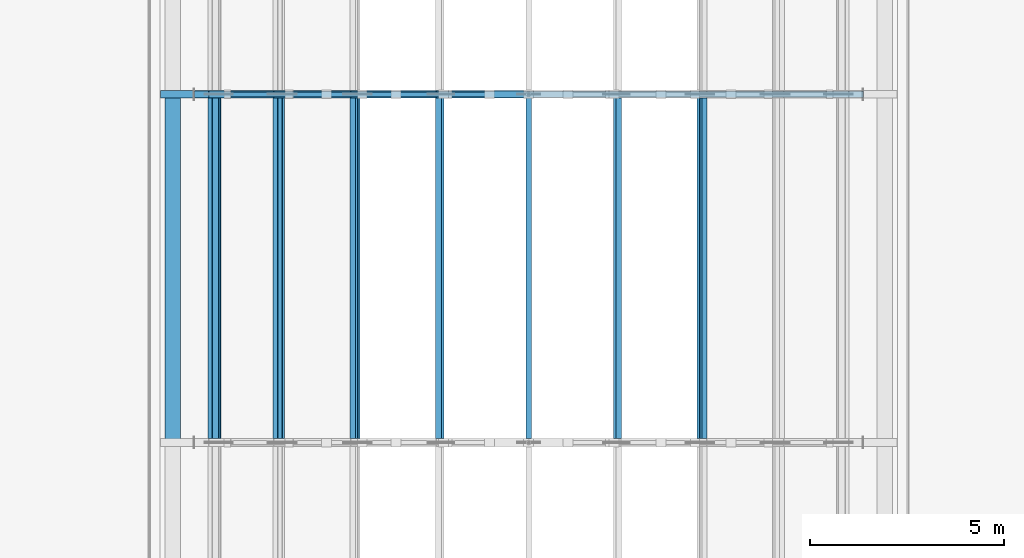
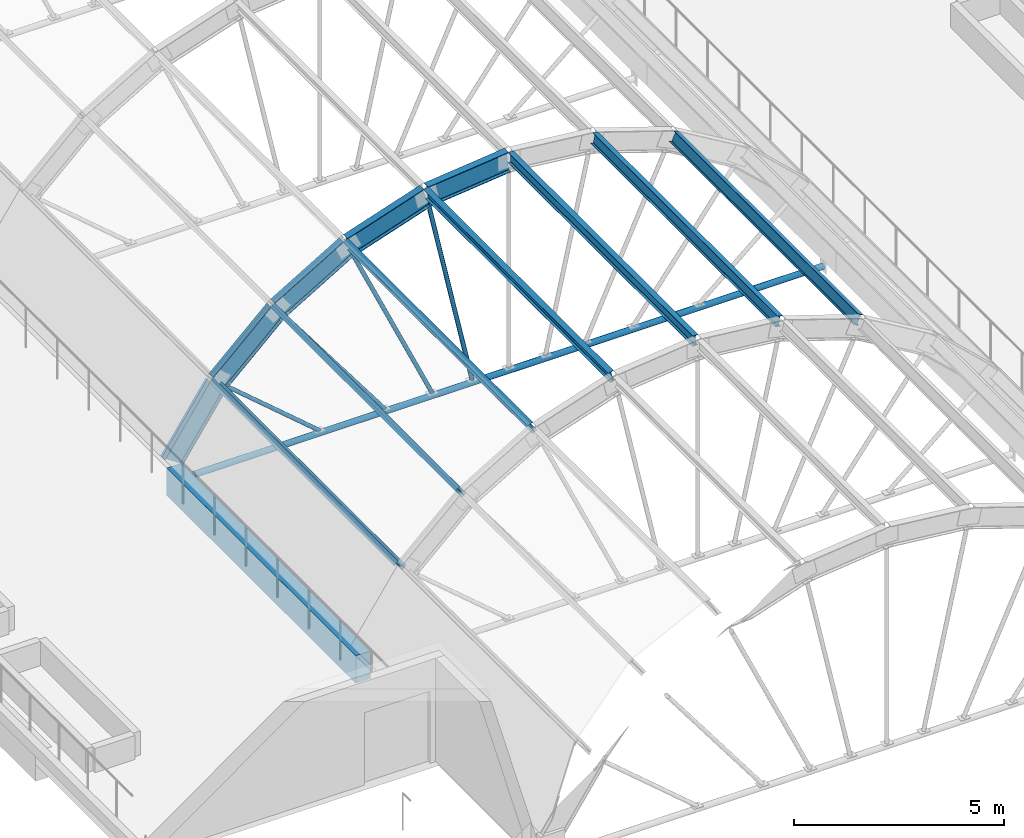
# One storey, part 13 of 79: 12 members, 6 beams.
"""IFC4 building model written with IfcOpenShell, lengths in metres."""

import ifcopenshell
import ifcopenshell.guid

model = None  # the IFC model being written
_history = None  # IfcOwnerHistory: only IFC2X3 demands one
_inside = {}  # id of a spatial element -> (the spatial element, [elements in it])
_under = {}  # id of a project, library or spatial element -> (it, [spatial elements below it])
_declared = {}  # id of a project -> (the project, [libraries it declares])
_typed = {}  # id of a type object -> (the type object, [elements of that type])
_made_of = {}  # id of a material, layer set ... -> (it, [elements and type objects made of it])


def new_model(schema):
    """Start an empty IFC model of exactly this schema.

    Asked for "IFC4X3", IfcOpenShell would pick the latest addendum, in which some entities
    have other attributes; the version numbers below select the first issue.
    IFC2X3 requires an IfcOwnerHistory on every rooted entity: one is made here for all.
    """
    global model, _history
    if schema == "IFC4X3":
        model = ifcopenshell.file(schema_version=(4, 3, 0, 0))
    else:
        model = ifcopenshell.file(schema=schema)
    _inside.clear()
    _under.clear()
    _declared.clear()
    _typed.clear()
    _made_of.clear()
    _history = None
    if model.schema == "IFC2X3":
        org = make("IfcOrganization", Name="unknown")
        user = make(
            "IfcPersonAndOrganization",
            ThePerson=make("IfcPerson", FamilyName="unknown"),
            TheOrganization=org,
        )
        app = make(
            "IfcApplication",
            ApplicationDeveloper=org,
            Version="unknown",
            ApplicationFullName="unknown",
            ApplicationIdentifier="unknown",
        )
        _history = make(
            "IfcOwnerHistory",
            OwningUser=user,
            OwningApplication=app,
            ChangeAction="ADDED",
            CreationDate=0,
        )
    return model


def make(cls, **values):
    """One entity of the class cls with the attributes given. An attribute that is None is left unset."""
    return model.create_entity(
        cls, **{name: value for name, value in values.items() if value is not None}
    )


def rooted(cls, **values):
    """An entity with a GlobalId (a new one), such as an element, a storey or a relation."""
    return make(cls, GlobalId=ifcopenshell.guid.new(), OwnerHistory=_history, **values)


def si_unit(unit_type, name, prefix=None):
    """IfcSIUnit, for example si_unit("LENGTHUNIT", "METRE", prefix="MILLI")."""
    return make("IfcSIUnit", UnitType=unit_type, Prefix=prefix, Name=name)


def assignment(units):
    """IfcUnitAssignment: the units of a project."""
    return None if units is None else make("IfcUnitAssignment", Units=units)


def point(xyz):
    """IfcCartesianPoint."""
    return None if xyz is None else make("IfcCartesianPoint", Coordinates=xyz)


def direction(xyz):
    """IfcDirection."""
    return None if xyz is None else make("IfcDirection", DirectionRatios=xyz)


def frame(location, z_axis=None, x_axis=None):
    """IfcAxis2Placement3D, a coordinate frame: its origin and axes. An axis left out is left unset."""
    return make(
        "IfcAxis2Placement3D",
        Location=point(location),
        Axis=direction(z_axis),
        RefDirection=direction(x_axis),
    )


def frame_2d(location, x_axis=None):
    """IfcAxis2Placement2D, a coordinate frame in the plane: its origin and x axis."""
    return make(
        "IfcAxis2Placement2D", Location=point(location), RefDirection=direction(x_axis)
    )


def origin():
    """The frame at (0, 0, 0) with its axes left unset."""
    return frame((0.0, 0.0, 0.0))


def origin_2d():
    """The frame at (0, 0) in the plane with its x axis left unset."""
    return frame_2d((0.0, 0.0))


def place(relative_to, where):
    """IfcLocalPlacement: puts the frame where relative to a parent placement (None: the world)."""
    return make(
        "IfcLocalPlacement", PlacementRelTo=relative_to, RelativePlacement=where
    )


def context(
    kind, dimensions, precision=None, world=None, true_north=None, identifier=None
):
    """IfcGeometricRepresentationContext, for example the 3D "Model" context."""
    return make(
        "IfcGeometricRepresentationContext",
        ContextIdentifier=identifier,
        ContextType=kind,
        CoordinateSpaceDimension=dimensions,
        Precision=precision,
        WorldCoordinateSystem=world,
        TrueNorth=true_north,
    )


def subcontext(parent, identifier, kind, view, scale=None):
    """IfcGeometricRepresentationSubContext, for example "Body" below "Model"."""
    return make(
        "IfcGeometricRepresentationSubContext",
        ContextIdentifier=identifier,
        ContextType=kind,
        ParentContext=parent,
        TargetScale=scale,
        TargetView=view,
    )


def project(units=None, contexts=None):
    """IfcProject with its units and contexts."""
    return rooted(
        "IfcProject",
        Name="project",
        RepresentationContexts=contexts,
        UnitsInContext=assignment(units),
    )


def spatial(cls, under=None, at=None, **own):
    """A site, building, storey or space (cls), placed at a placement, below another one or the project."""
    s = rooted(cls, ObjectPlacement=at, **own)
    if under is not None:
        _under.setdefault(under.id(), (under, []))[1].append(s)
    return s


def profile(cls, at=None, kind="AREA", **sizes):
    """A parametric profile (cls). Its sizes go by their IFC names, for example OverallWidth=200.0."""
    return make(cls, ProfileType=kind, Position=at, **sizes)


def rectangle(**sizes):
    """IfcRectangleProfileDef."""
    return profile("IfcRectangleProfileDef", **sizes)


def hollow_circle(**sizes):
    """IfcCircleHollowProfileDef."""
    return profile("IfcCircleHollowProfileDef", **sizes)


def i_section(**sizes):
    """IfcIShapeProfileDef."""
    return profile("IfcIShapeProfileDef", **sizes)


def extrude(swept, where, along, depth):
    """IfcExtrudedAreaSolid: the profile swept, set in the frame where, extruded along a direction by depth."""
    return make(
        "IfcExtrudedAreaSolid",
        SweptArea=swept,
        Position=where,
        ExtrudedDirection=direction(along),
        Depth=depth,
    )


def shape(context_of_items, identifier, shape_type, items):
    """IfcShapeRepresentation: the items that make up one representation, for example the "Body"."""
    return make(
        "IfcShapeRepresentation",
        ContextOfItems=context_of_items,
        RepresentationIdentifier=identifier,
        RepresentationType=shape_type,
        Items=items,
    )


def material(Name=None, Category=None):
    """IfcMaterial."""
    return make("IfcMaterial", Name=Name, Category=Category)


def material_profile(
    of_material, cross_section, Name=None, Category=None, Priority=None
):
    """IfcMaterialProfile: a cross section and its material."""
    return make(
        "IfcMaterialProfile",
        Name=Name,
        Material=of_material,
        Profile=cross_section,
        Priority=Priority,
        Category=Category,
    )


def profile_set(profiles, Name=None, composite=None):
    """IfcMaterialProfileSet."""
    return make(
        "IfcMaterialProfileSet",
        Name=Name,
        MaterialProfiles=profiles,
        CompositeProfile=composite,
    )


def made_of(thing, what):
    """Note that an element or type object is made of a material, layer set ...; save() writes the relation."""
    if what is not None:
        _made_of.setdefault(what.id(), (what, []))[1].append(thing)
    return thing


def type_object(cls, material=None, **own):
    """A type object (cls), such as IfcWallType, which elements share."""
    return made_of(rooted(cls, **own), material)


def element(
    cls,
    number,
    at=None,
    inside=None,
    cuts=None,
    type_object=None,
    material=None,
    context=None,
    identifier="Body",
    shape_type=None,
    held_by="IfcProductDefinitionShape",
    body=None,
    shapes=None,
    **own,
):
    """One element of the class cls, such as IfcWall. Its Tag is "e" and its number.

    at: its placement. inside: the storey or other place that contains it. cuts: it is an
    opening in that element (IfcRelVoidsElement). A single representation is given by context,
    identifier, shape_type and body (its items); several are given by shapes. held_by: the class
    of the entity that holds the representations. save() writes the other relations.
    """
    e = rooted(cls, Tag="e%d" % number, ObjectPlacement=at, **own)
    if body is not None:
        shapes = [shape(context, identifier, shape_type, body)]
    if shapes is not None:
        e.Representation = make(held_by, Representations=shapes)
    if inside is not None:
        _inside.setdefault(inside.id(), (inside, []))[1].append(e)
    if cuts is not None:
        rooted(
            "IfcRelVoidsElement", RelatingBuildingElement=cuts, RelatedOpeningElement=e
        )
    if type_object is not None:
        _typed.setdefault(type_object.id(), (type_object, []))[1].append(e)
    return made_of(e, material)


def aggregate(whole, parts):
    """IfcRelAggregates: a whole, such as a stair, and the parts it consists of."""
    return rooted("IfcRelAggregates", RelatingObject=whole, RelatedObjects=parts)


def save(model, path):
    """Write the relations noted so far, then the file.

    IfcRelAggregates (storeys below a building ...), IfcRelContainedInSpatialStructure (elements
    in a storey), IfcRelDefinesByType, IfcRelAssociatesMaterial and IfcRelDeclares: one each for
    every whole, place, type object, material and project.
    """
    for whole, parts in _under.values():
        aggregate(whole, parts)
    for where, things in _inside.values():
        rooted(
            "IfcRelContainedInSpatialStructure",
            RelatedElements=things,
            RelatingStructure=where,
        )
    for kind, things in _typed.values():
        rooted("IfcRelDefinesByType", RelatedObjects=things, RelatingType=kind)
    for what, things in _made_of.values():
        rooted("IfcRelAssociatesMaterial", RelatedObjects=things, RelatingMaterial=what)
    for by, libraries in _declared.values():
        rooted("IfcRelDeclares", RelatingContext=by, RelatedDefinitions=libraries)
    model.write(path)


model = new_model("IFC4")

# Units and contexts
model_context = context("Model", 3, precision=1e-05, world=origin(), true_north=direction((0.0, 1.0)))
body_context = subcontext(model_context, "Body", "Model", "MODEL_VIEW")
ifc_project = project(units=[si_unit("LENGTHUNIT", "METRE"), si_unit("AREAUNIT", "SQUARE_METRE"), si_unit("VOLUMEUNIT", "CUBIC_METRE"), si_unit("PLANEANGLEUNIT", "RADIAN"), si_unit("MASSUNIT", "GRAM", prefix="KILO")], contexts=[model_context])

# Site, building, storey
site_placement = place(None, origin())
site = spatial("IfcSite", under=ifc_project, at=site_placement, CompositionType="ELEMENT")
building_placement = place(site_placement, origin())
building = spatial("IfcBuilding", under=site, at=building_placement, Name="Guidao Yard Department Store", CompositionType="ELEMENT")
storey_placement = place(building_placement, frame((0.0, 0.0, 15.0)))
storey = spatial("IfcBuildingStorey", under=building, at=storey_placement, Name="L03", CompositionType="ELEMENT", Elevation=15.0)

# Members
ifc_material_1 = material(Name="Steel Q355B", Category="steel")
ifc_material_profile_1 = material_profile(ifc_material_1, hollow_circle(Radius=0.056884765625, WallThickness=0.006103515625, at=origin_2d()), Name="CHS 114x6")
ifc_profile_set_1 = profile_set([ifc_material_profile_1], Name="Steel Q355B")
member_type_1 = type_object("IfcMemberType", Name="CHS 114x6", PredefinedType="BRACE", material=ifc_profile_set_1)
member_1_placement = place(storey_placement, frame((84.77490234375, 63.0, -0.360107421875), z_axis=(-0.760338516722, 0.0, 0.649527012516), x_axis=(0.0, -1.0, 0.0)))
element("IfcMember", 1, at=member_1_placement, inside=storey, type_object=member_type_1, Name="Roof web strut C03-01", PredefinedType="BRACE", context=body_context, shape_type="SweptSolid", body=[
    extrude(hollow_circle(Radius=0.056884765625, WallThickness=0.006103515625, at=origin_2d()), origin(), (0.0, 0.0, 1.0), 3.357666015625),
])
member_2_placement = place(storey_placement, frame((86.575927734375, 63.0, -0.360107421875), z_axis=(-0.600934318152, 0.0, 0.799298408147), x_axis=(0.0, -1.0, 0.0)))
element("IfcMember", 2, at=member_2_placement, inside=storey, type_object=member_type_1, Name="Roof web strut C03-02", PredefinedType="BRACE", context=body_context, shape_type="SweptSolid", body=[
    extrude(hollow_circle(Radius=0.056884765625, WallThickness=0.006103515625, at=origin_2d()), origin(), (0.0, 0.0, 1.0), 4.596923828125),
])
member_3_placement = place(storey_placement, frame((87.890869140625, 63.0, -0.360107421875), z_axis=(-0.415142377249, 0.0, 0.909756454559), x_axis=(0.0, -1.0, 0.0)))
element("IfcMember", 3, at=member_3_placement, inside=storey, type_object=member_type_1, Name="Roof web strut C03-03", PredefinedType="BRACE", context=body_context, shape_type="SweptSolid", body=[
    extrude(hollow_circle(Radius=0.056884765625, WallThickness=0.006103515625, at=origin_2d()), origin(), (0.0, 0.0, 1.0), 5.271728515625),
])
member_4_placement = place(storey_placement, frame((88.98876953125, 63.0, -0.360107421875), z_axis=(-0.211899287995, 0.0, 0.977291508071), x_axis=(0.0, -1.0, 0.0)))
element("IfcMember", 4, at=member_4_placement, inside=storey, type_object=member_type_1, Name="Roof web strut C03-04", PredefinedType="BRACE", context=body_context, shape_type="SweptSolid", body=[
    extrude(hollow_circle(Radius=0.056884765625, WallThickness=0.006103515625, at=origin_2d()), origin(), (0.0, 0.0, 1.0), 5.619140625),
])
ifc_material_2 = material(Name="Steel Q355B", Category="steel")
ifc_material_profile_2 = material_profile(ifc_material_2, hollow_circle(Radius=0.083984375, WallThickness=0.008056640625, at=origin_2d()), Name="CHS 168x8")
ifc_profile_set_2 = profile_set([ifc_material_profile_2], Name="Steel Q355B")
member_type_2 = type_object("IfcMemberType", Name="CHS 168x8", PredefinedType="BRACE", material=ifc_profile_set_2)
member_5_placement = place(storey_placement, frame((81.35009765625, 63.0, -0.449951171875), z_axis=(1.0, 0.0, 0.0), x_axis=(0.0, 1.0, 0.0)))
element("IfcMember", 5, at=member_5_placement, inside=storey, type_object=member_type_2, Name="Roof tie rod C03", PredefinedType="BRACE", context=body_context, shape_type="SweptSolid", body=[
    extrude(hollow_circle(Radius=0.083984375, WallThickness=0.008056640625, at=origin_2d()), origin(), (0.0, 0.0, 1.0), 17.2998046875),
])
ifc_material_3 = material(Name="Steel Q355B", Category="steel")
ifc_material_profile_3 = material_profile(ifc_material_3, i_section(OverallWidth=0.14990234375, OverallDepth=0.300048828125, WebThickness=0.006591796875, FlangeThickness=0.009033203125, FilletRadius=0.012939453125, at=origin_2d()), Name="HN 300x150x6.5x9")
ifc_profile_set_3 = profile_set([ifc_material_profile_3], Name="Steel Q355B")
member_type_3 = type_object("IfcMemberType", Name="HN 300x150x6.5x9", PredefinedType="PURLIN", material=ifc_profile_set_3)
for number, where, z_axis, x_axis, name in (
    (6, (81.88330078125, 54.10009765625, 2.110107421875), (0.0, 1.0, 0.0), (-0.649536869322, 0.0, -0.760330096334), "Roof purlin C02-01"),
    (7, (83.5458984375, 54.10009765625, 3.670166015625), (0.0, 1.0, 0.0), (-0.79928350319, 0.0, -0.600954142617), "Roof purlin C02-02"),
    (8, (85.517578125, 54.10009765625, 4.841064453125), (0.0, 1.0, 0.0), (-0.909750741633, 0.0, -0.415154896513), "Roof purlin C02-03"),
    (9, (87.703857421875, 54.10009765625, 5.56640625), (0.0, 1.0, 0.0), (-0.977291953985, 0.0, -0.211897231402), "Roof purlin C02-04"),
    (10, (90.0, 54.10009765625, 5.812255859375), (0.0, 1.0, 0.0), (-1.0, 0.0, 0.0), "Roof purlin C02-05"),
    (11, (92.296142578125, 54.10009765625, 5.56640625), (0.0, 1.0, 0.0), (-0.977291953985, 0.0, 0.211897231402), "Roof purlin C02-06"),
    (12, (94.482421875, 54.10009765625, 4.841064453125), (0.0, 1.0, 0.0), (-0.909750741633, 0.0, 0.415154896513), "Roof purlin C02-07"),
):
    element("IfcMember", number, at=place(storey_placement, frame(where, z_axis=z_axis, x_axis=x_axis)), inside=storey, type_object=member_type_3, Name=name, PredefinedType="PURLIN", context=body_context, shape_type="SweptSolid", body=[
        extrude(i_section(OverallWidth=0.14990234375, OverallDepth=0.300048828125, WebThickness=0.006591796875, FlangeThickness=0.009033203125, FilletRadius=0.012939453125, at=origin_2d()), origin(), (0.0, 0.0, 1.0), 8.7998046875),
    ])

# Beams
ifc_material_4 = material(Name="Steel Q355B", Category="steel")
ifc_material_profile_4 = material_profile(ifc_material_4, i_section(OverallWidth=0.199951171875, OverallDepth=0.60009765625, WebThickness=0.010986328125, FlangeThickness=0.01708984375, FilletRadius=0.012939453125, at=origin_2d()), Name="HN 600x200x11x17")
ifc_profile_set_4 = profile_set([ifc_material_profile_4], Name="Steel Q355B")
beam_type_1 = type_object("IfcBeamType", Name="HN 600x200x11x17", PredefinedType="BEAM", material=ifc_profile_set_4)
beam_1_placement = place(storey_placement, frame((80.73681640625, 63.0, 0.168701171875), z_axis=(0.561973245007, 0.0, 0.827155409761), x_axis=(0.0, 1.0, 0.0)))
element("IfcBeam", 13, at=beam_1_placement, inside=storey, type_object=beam_type_1, Name="Roof rib C03-01", PredefinedType="BEAM", context=body_context, shape_type="SweptSolid", body=[
    extrude(i_section(OverallWidth=0.199951171875, OverallDepth=0.60009765625, WebThickness=0.010986328125, FlangeThickness=0.01708984375, FilletRadius=0.012939453125, at=origin_2d()), origin(), (0.0, 0.0, 1.0), 2.201171875),
])
beam_2_placement = place(storey_placement, frame((82.016845703125, 63.0, 2.03955078125), z_axis=(0.729181254966, 0.0, 0.684320610099), x_axis=(0.0, 1.0, 0.0)))
element("IfcBeam", 14, at=beam_2_placement, inside=storey, type_object=beam_type_1, Name="Roof rib C03-02", PredefinedType="BEAM", context=body_context, shape_type="SweptSolid", body=[
    extrude(i_section(OverallWidth=0.199951171875, OverallDepth=0.60009765625, WebThickness=0.010986328125, FlangeThickness=0.01708984375, FilletRadius=0.012939453125, at=origin_2d()), origin(), (0.0, 0.0, 1.0), 2.182373046875),
])
beam_3_placement = place(storey_placement, frame((83.660400390625, 63.0, 3.572265625), z_axis=(0.859895907255, 0.0, 0.510469419933), x_axis=(0.0, 1.0, 0.0)))
element("IfcBeam", 15, at=beam_3_placement, inside=storey, type_object=beam_type_1, Name="Roof rib C03-03", PredefinedType="BEAM", context=body_context, shape_type="SweptSolid", body=[
    extrude(i_section(OverallWidth=0.199951171875, OverallDepth=0.60009765625, WebThickness=0.010986328125, FlangeThickness=0.01708984375, FilletRadius=0.012939453125, at=origin_2d()), origin(), (0.0, 0.0, 1.0), 2.19677734375),
])
beam_4_placement = place(storey_placement, frame((85.60791015625, 63.0, 4.720458984375), z_axis=(0.949091595418, 0.0, 0.31500022779), x_axis=(0.0, 1.0, 0.0)))
element("IfcBeam", 16, at=beam_4_placement, inside=storey, type_object=beam_type_1, Name="Roof rib C03-04", PredefinedType="BEAM", context=body_context, shape_type="SweptSolid", body=[
    extrude(i_section(OverallWidth=0.199951171875, OverallDepth=0.60009765625, WebThickness=0.010986328125, FlangeThickness=0.01708984375, FilletRadius=0.012939453125, at=origin_2d()), origin(), (0.0, 0.0, 1.0), 2.2080078125),
])
beam_5_placement = place(storey_placement, frame((87.766357421875, 63.0, 5.429443359375), z_axis=(0.994311656362, 0.0, 0.10650976492), x_axis=(0.0, 1.0, 0.0)))
element("IfcBeam", 17, at=beam_5_placement, inside=storey, type_object=beam_type_1, Name="Roof rib C03-05", PredefinedType="BEAM", context=body_context, shape_type="SweptSolid", body=[
    extrude(i_section(OverallWidth=0.199951171875, OverallDepth=0.60009765625, WebThickness=0.010986328125, FlangeThickness=0.01708984375, FilletRadius=0.012939453125, at=origin_2d()), origin(), (0.0, 0.0, 1.0), 2.21435546875),
])
ifc_material_5 = material(Name="Concrete C40", Category="concrete")
ifc_material_profile_5 = material_profile(ifc_material_5, rectangle(XDim=0.39990234375, YDim=0.800048828125, at=origin_2d()), Name="Vault bearing beam 400 x 800 C40")
ifc_profile_set_5 = profile_set([ifc_material_profile_5], Name="Concrete C40")
beam_type_2 = type_object("IfcBeamType", Name="Vault bearing beam 400 x 800 C40", PredefinedType="BEAM", material=ifc_profile_set_5)
beam_6_placement = place(storey_placement, frame((80.800048828125, 54.0, -0.39990234375), z_axis=(0.0, 1.0, 0.0), x_axis=(-1.0, 0.0, 0.0)))
element("IfcBeam", 18, at=beam_6_placement, inside=storey, type_object=beam_type_2, Name="Beam VB02", PredefinedType="BEAM", context=body_context, shape_type="SweptSolid", body=[
    extrude(rectangle(XDim=0.39990234375, YDim=0.800048828125, at=origin_2d()), origin(), (0.0, 0.0, 1.0), 9.0),
])

save(model, "model.ifc")
